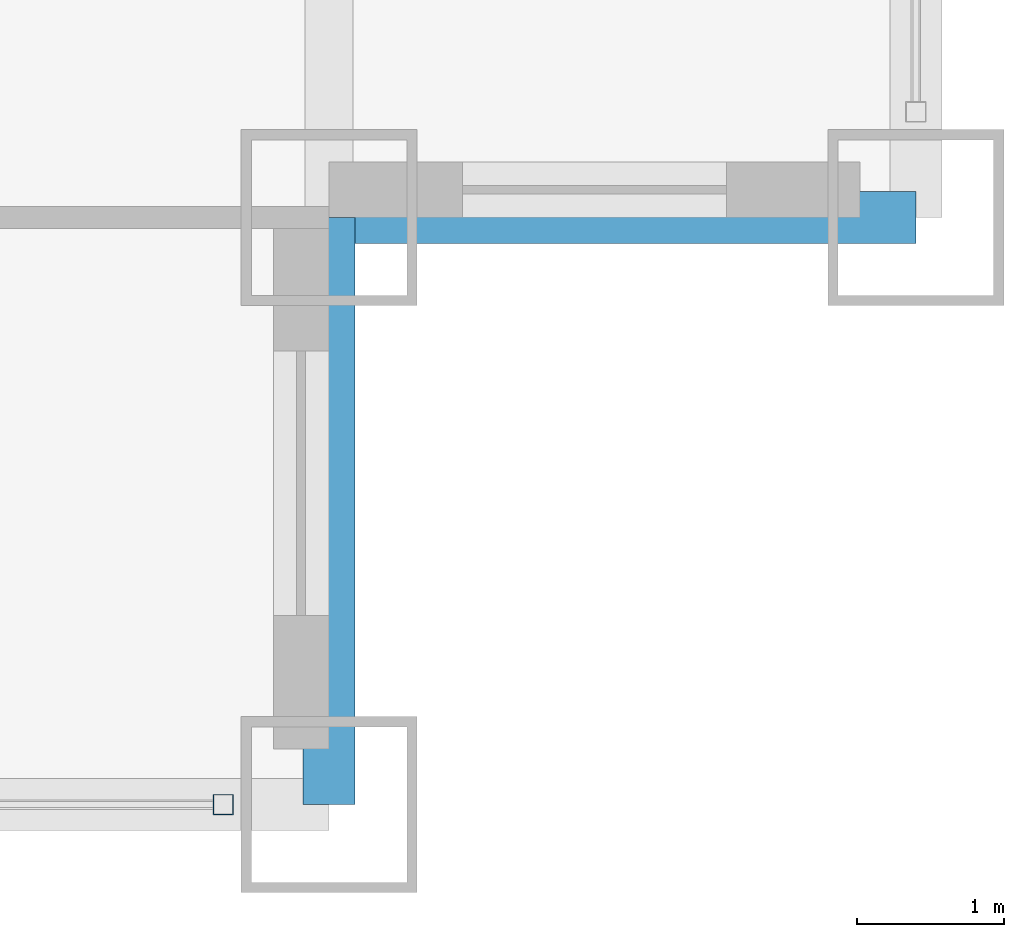
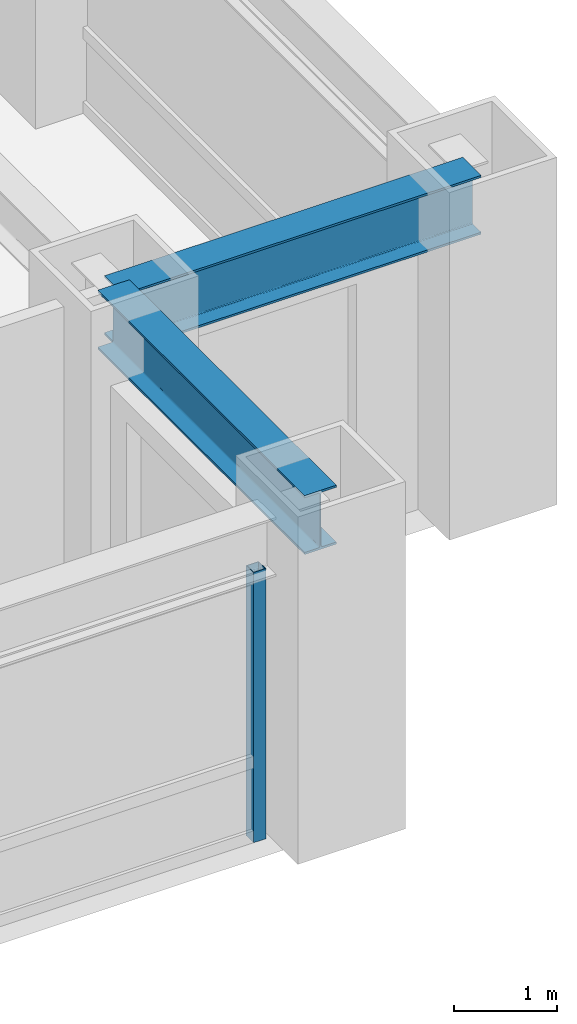
# One storey, part 6 of 28: 2 beams, 1 member, 1 element without a shape of its own.
"""IFC4 building model written with IfcOpenShell, lengths in metres."""

from ifc_helpers import new_model, si_unit, direction, frame, origin, origin_2d, place, context, subcontext, project, spatial, hollow_rectangle, i_section, extrude, source, transform, mapped, material, material_profile, profile_set, type_object, element, aggregate, save


model = new_model("IFC4")

# Units and contexts
model_context = context("Model", 3, precision=1e-05, world=origin(), true_north=direction((0.0, 1.0)))
body_context = subcontext(model_context, "Body", "Model", "MODEL_VIEW")
ifc_project = project(units=[si_unit("LENGTHUNIT", "METRE"), si_unit("AREAUNIT", "SQUARE_METRE"), si_unit("VOLUMEUNIT", "CUBIC_METRE"), si_unit("PLANEANGLEUNIT", "RADIAN"), si_unit("MASSUNIT", "GRAM", prefix="KILO")], contexts=[model_context])

# Site, building, storey
site_placement = place(None, origin())
site = spatial("IfcSite", under=ifc_project, at=site_placement, CompositionType="ELEMENT")
building_placement = place(site_placement, origin())
building = spatial("IfcBuilding", under=site, at=building_placement, Name="Khorayat Bourse Tower", CompositionType="ELEMENT")
storey_placement = place(building_placement, frame((0.0, 0.0, 120.10009765625)))
storey = spatial("IfcBuildingStorey", under=building, at=storey_placement, Name="L27", CompositionType="ELEMENT", Elevation=120.10009765625)

# Beams
ifc_material_1 = material(Name="Steel ASTM A992 Grade 50", Category="steel")
ifc_material_profile_1 = material_profile(ifc_material_1, i_section(OverallWidth=0.35498046875, OverallDepth=0.695068359375, WebThickness=0.015380859375, FlangeThickness=0.02490234375, FilletRadius=0.01806640625, at=origin_2d()), Name="W690X217")
ifc_profile_set_1 = profile_set([ifc_material_profile_1], Name="Steel ASTM A992 Grade 50")
beam_type = type_object("IfcBeamType", Name="BM-SPAN-690", PredefinedType="SPANDREL", material=ifc_profile_set_1)
shared_shape_1 = source(origin(), body_context, "Body", "SweptSolid", [
    extrude(i_section(OverallWidth=0.35498046875, OverallDepth=0.695068359375, WebThickness=0.015380859375, FlangeThickness=0.02490234375, FilletRadius=0.01806640625, at=origin_2d()), origin(), (0.0, 0.0, 1.0), 4.0),
])
for number, where, z_axis, x_axis, name in (
    (1, (28.0, -32.0, 3.492431640625), (0.0, 1.0, 0.0), (-1.0, 0.0, 0.0), "L27 BM-SPAN-690 BM-L27-SPN-032"),
    (2, (28.0, -28.0, 3.492431640625), (1.0, 0.0, 0.0), (0.0, 1.0, 0.0), "L27 BM-SPAN-690 BM-L27-SPN-033"),
):
    element("IfcBeam", number, at=place(storey_placement, frame(where, z_axis=z_axis, x_axis=x_axis)), inside=storey, type_object=beam_type, Name=name, PredefinedType="SPANDREL", context=body_context, shape_type="MappedRepresentation", body=[
        mapped(shared_shape_1, transform((0.0, 0.0, 0.0), scale=1.0)),
    ])

# Curtain wall, member
ifc_material_2 = material(Name="Aluminium EN AW-6063 T6", Category="aluminium")
curtain_wall_type = type_object("IfcCurtainWallType", Name="CW-SYS-02", PredefinedType="NOTDEFINED", material=ifc_material_2)
curtain_wall_placement = place(storey_placement, origin())
curtain_wall = element("IfcCurtainWall", 3, at=curtain_wall_placement, inside=storey, type_object=curtain_wall_type, Name="L27 Curtain Wall CW-L27-S1", PredefinedType="NOTDEFINED")
ifc_material_profile_2 = material_profile(ifc_material_2, hollow_rectangle(XDim=0.139892578125, YDim=0.139892578125, WallThickness=0.006103515625, at=origin_2d()), Name="ALU 140x140x6")
ifc_profile_set_2 = profile_set([ifc_material_profile_2], Name="Aluminium EN AW-6063 T6")
member_type = type_object("IfcMemberType", Name="CWM-VERT-140", PredefinedType="MULLION", material=ifc_profile_set_2)
shared_shape_2 = source(origin(), body_context, "Body", "SweptSolid", [
    extrude(hollow_rectangle(XDim=0.139892578125, YDim=0.139892578125, WallThickness=0.006103515625, at=origin_2d()), origin(), (0.0, 0.0, 1.0), 3.18994140625),
])
member_placement = place(storey_placement, frame((27.280029296875, -32.0, 0.0), z_axis=(0.0, 0.0, 1.0), x_axis=(0.0, 1.0, 0.0)))
member = element("IfcMember", 4, at=member_placement, type_object=member_type, Name="CW-L27-S1 Vertical Mullion 3", PredefinedType="MULLION", context=body_context, shape_type="MappedRepresentation", body=[
    mapped(shared_shape_2, transform((0.0, 0.0, 0.0), scale=1.0)),
])
aggregate(curtain_wall, [member])

save(model, "model.ifc")
